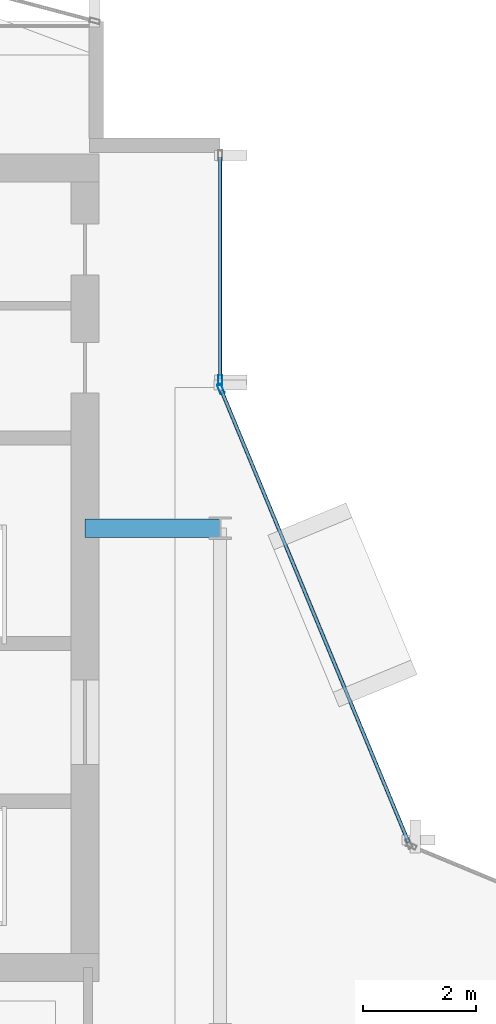
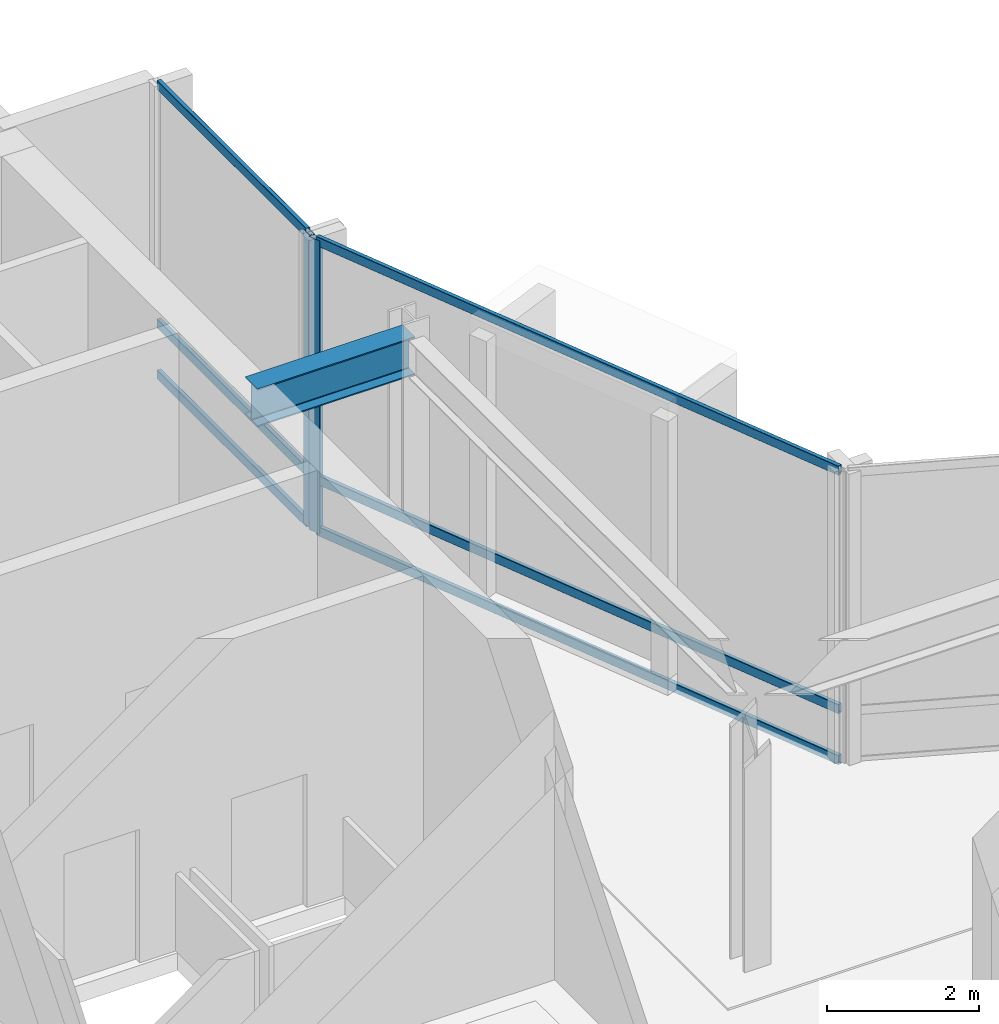
# One storey, part 17 of 28: 8 members, 1 beam, 2 elements without a shape of their own.
"""IFC4 building model written with IfcOpenShell, lengths in metres."""

from ifc_helpers import new_model, si_unit, direction, frame, origin, origin_2d, place, context, subcontext, project, spatial, hollow_rectangle, i_section, extrude, material, layer, layer_set, material_profile, profile_set, type_object, element, aggregate, save


model = new_model("IFC4")

# Units and contexts
model_context = context("Model", 3, precision=1e-05, world=origin(), true_north=direction((0.0, 1.0)))
body_context = subcontext(model_context, "Body", "Model", "MODEL_VIEW")
ifc_project = project(units=[si_unit("LENGTHUNIT", "METRE"), si_unit("AREAUNIT", "SQUARE_METRE"), si_unit("VOLUMEUNIT", "CUBIC_METRE"), si_unit("PLANEANGLEUNIT", "RADIAN"), si_unit("MASSUNIT", "GRAM", prefix="KILO")], contexts=[model_context])

# Site, building, storey
site_placement = place(None, origin())
site = spatial("IfcSite", under=ifc_project, at=site_placement, CompositionType="ELEMENT")
building_placement = place(site_placement, origin())
building = spatial("IfcBuilding", under=site, at=building_placement, Name="Solvaryn Broadcast Tower", CompositionType="ELEMENT")
storey_placement = place(building_placement, frame((0.0, 0.0, 201.199951171875)))
storey = spatial("IfcBuildingStorey", under=building, at=storey_placement, Name="L50", CompositionType="ELEMENT", Elevation=201.199951171875)

# Beam
ifc_material_1 = material(Name="Steel ASTM A992 Grade 50", Category="steel")
ifc_material_profile_1 = material_profile(ifc_material_1, i_section(OverallWidth=0.323974609375, OverallDepth=0.611083984375, WebThickness=0.0126953125, FlangeThickness=0.01904296875, FilletRadius=0.014892578125, at=origin_2d()))
ifc_profile_set_1 = profile_set([ifc_material_profile_1], Name="Steel ASTM A992 Grade 50")
beam_type = type_object("IfcBeamType", Name="BM-B1-W24X104", PredefinedType="BEAM", material=ifc_profile_set_1)
beam_placement = place(storey_placement, frame((24.60009765625, 36.0, 4.41455078125), z_axis=(1.0, 0.0, 0.0), x_axis=(0.0, 1.0, 0.0)))
element("IfcBeam", 1, at=beam_placement, inside=storey, type_object=beam_type, Name="L50 Core Tie Beam CTW2", PredefinedType="BEAM", context=body_context, shape_type="SweptSolid", body=[
    extrude(i_section(OverallWidth=0.323974609375, OverallDepth=0.611083984375, WebThickness=0.0126953125, FlangeThickness=0.01904296875, FilletRadius=0.014892578125, at=origin_2d()), origin(), (0.0, 0.0, 1.0), 2.39990234375),
])

# Curtain wall, member
ifc_material_2 = material(Name="Aluminium and Terracotta Unitised Curtain Wall", Category="masonry")
ifc_layer = layer(ifc_material_2, 0.199951171875)
ifc_layer_set = layer_set([ifc_layer], Name="CW-SYS2-LOWMID")
curtain_wall_type = type_object("IfcCurtainWallType", Name="CW-SYS2-LOWMID", PredefinedType="NOTDEFINED", material=ifc_layer_set)
curtain_wall_1_placement = place(storey_placement, origin())
curtain_wall_1 = element("IfcCurtainWall", 2, at=curtain_wall_1_placement, inside=storey, type_object=curtain_wall_type, Name="L50 Curtain Wall IV", PredefinedType="NOTDEFINED")
ifc_material_3 = material(Name="Anodised Aluminium 6063-T6", Category="aluminium")
ifc_material_profile_2 = material_profile(ifc_material_3, hollow_rectangle(XDim=0.074951171875, YDim=0.179931640625, WallThickness=0.00390625, InnerFilletRadius=0.00390625, OuterFilletRadius=0.008056640625, at=origin_2d()))
ifc_profile_set_2 = profile_set([ifc_material_profile_2], Name="Anodised Aluminium 6063-T6")
member_type_1 = type_object("IfcMemberType", Name="CW-MUL-180", PredefinedType="MULLION", material=ifc_profile_set_2)
member_1_placement = place(storey_placement, frame((27.0, 38.6298828125, 0.0), z_axis=(0.0, 0.0, 1.0), x_axis=(1.0, 0.0, 0.0)))
member_1 = element("IfcMember", 3, at=member_1_placement, type_object=member_type_1, Name="CWS2 mullion 2", PredefinedType="MULLION", context=body_context, shape_type="SweptSolid", body=[
    extrude(hollow_rectangle(XDim=0.074951171875, YDim=0.179931640625, WallThickness=0.00390625, InnerFilletRadius=0.00390625, OuterFilletRadius=0.008056640625, at=origin_2d()), origin(), (0.0, 0.0, 1.0), 4.719970703125),
])

curtain_wall_2_placement = place(storey_placement, origin())
curtain_wall_2 = element("IfcCurtainWall", 4, at=curtain_wall_2_placement, inside=storey, type_object=curtain_wall_type, Name="L50 Curtain Wall CN2", PredefinedType="NOTDEFINED")
member_2_placement = place(storey_placement, frame((27.011474609375, 38.47216796875, 0.0), z_axis=(0.0, 0.0, 1.0), x_axis=(-0.923894983957, -0.382646127145, 0.0)))
member_2 = element("IfcMember", 5, at=member_2_placement, type_object=member_type_1, Name="CWS2 mullion 2", PredefinedType="MULLION", context=body_context, shape_type="SweptSolid", body=[
    extrude(hollow_rectangle(XDim=0.074951171875, YDim=0.179931640625, WallThickness=0.00390625, InnerFilletRadius=0.00390625, OuterFilletRadius=0.008056640625, at=origin_2d()), origin(), (0.0, 0.0, 1.0), 4.719970703125),
])

# Member
ifc_material_4 = material(Name="Anodised Aluminium 6063-T6", Category="aluminium")
ifc_material_profile_3 = material_profile(ifc_material_4, hollow_rectangle(XDim=0.06494140625, YDim=0.14990234375, WallThickness=0.00390625, InnerFilletRadius=0.00390625, OuterFilletRadius=0.008056640625, at=origin_2d()))
ifc_profile_set_3 = profile_set([ifc_material_profile_3], Name="Anodised Aluminium 6063-T6")
member_type_2 = type_object("IfcMemberType", Name="CW-TRN-150", PredefinedType="USERDEFINED", material=ifc_profile_set_3)
member_3_placement = place(storey_placement, frame((27.0, 42.590087890625, 0.030029296875), z_axis=(0.0, -1.0, 0.0), x_axis=(1.0, 0.0, 0.0)))
member_3 = element("IfcMember", 6, at=member_3_placement, type_object=member_type_2, Name="CWS2 transom 1.1", ObjectType="TRANSOM", PredefinedType="USERDEFINED", context=body_context, shape_type="SweptSolid", body=[
    extrude(hollow_rectangle(XDim=0.06494140625, YDim=0.14990234375, WallThickness=0.00390625, InnerFilletRadius=0.00390625, OuterFilletRadius=0.008056640625, at=origin_2d()), origin(), (0.0, 0.0, 1.0), 3.93017578125),
])

member_4_placement = place(storey_placement, frame((27.0, 42.590087890625, 0.85009765625), z_axis=(0.0, -1.0, 0.0), x_axis=(1.0, 0.0, 0.0)))
member_4 = element("IfcMember", 7, at=member_4_placement, type_object=member_type_2, Name="CWS2 transom 1.2", ObjectType="TRANSOM", PredefinedType="USERDEFINED", context=body_context, shape_type="SweptSolid", body=[
    extrude(hollow_rectangle(XDim=0.06494140625, YDim=0.14990234375, WallThickness=0.00390625, InnerFilletRadius=0.00390625, OuterFilletRadius=0.008056640625, at=origin_2d()), origin(), (0.0, 0.0, 1.0), 3.93017578125),
])

member_5_placement = place(storey_placement, frame((27.0, 42.590087890625, 4.68994140625), z_axis=(0.0, -1.0, 0.0), x_axis=(1.0, 0.0, 0.0)))
member_5 = element("IfcMember", 8, at=member_5_placement, type_object=member_type_2, Name="CWS2 transom 1.3", ObjectType="TRANSOM", PredefinedType="USERDEFINED", context=body_context, shape_type="SweptSolid", body=[
    extrude(hollow_rectangle(XDim=0.06494140625, YDim=0.14990234375, WallThickness=0.00390625, InnerFilletRadius=0.00390625, OuterFilletRadius=0.008056640625, at=origin_2d()), origin(), (0.0, 0.0, 1.0), 3.93017578125),
])

aggregate(curtain_wall_1, [member_1, member_3, member_4, member_5])

member_6_placement = place(storey_placement, frame((30.344970703125, 30.42333984375, 0.030029296875), z_axis=(-0.382635748975, 0.923899282177, 0.0), x_axis=(-0.923899282177, -0.382635748975, 0.0)))
member_6 = element("IfcMember", 9, at=member_6_placement, type_object=member_type_2, Name="CWS2 transom 1.1", ObjectType="TRANSOM", PredefinedType="USERDEFINED", context=body_context, shape_type="SweptSolid", body=[
    extrude(hollow_rectangle(XDim=0.06494140625, YDim=0.14990234375, WallThickness=0.00390625, InnerFilletRadius=0.00390625, OuterFilletRadius=0.008056640625, at=origin_2d()), origin(), (0.0, 0.0, 1.0), 8.681884765625),
])

member_7_placement = place(storey_placement, frame((30.344970703125, 30.42333984375, 0.85009765625), z_axis=(-0.382635748975, 0.923899282177, 0.0), x_axis=(-0.923899282177, -0.382635748975, 0.0)))
member_7 = element("IfcMember", 10, at=member_7_placement, type_object=member_type_2, Name="CWS2 transom 1.2", ObjectType="TRANSOM", PredefinedType="USERDEFINED", context=body_context, shape_type="SweptSolid", body=[
    extrude(hollow_rectangle(XDim=0.06494140625, YDim=0.14990234375, WallThickness=0.00390625, InnerFilletRadius=0.00390625, OuterFilletRadius=0.008056640625, at=origin_2d()), origin(), (0.0, 0.0, 1.0), 8.681884765625),
])

member_8_placement = place(storey_placement, frame((30.344970703125, 30.42333984375, 4.68994140625), z_axis=(-0.382635748975, 0.923899282177, 0.0), x_axis=(-0.923899282177, -0.382635748975, 0.0)))
member_8 = element("IfcMember", 11, at=member_8_placement, type_object=member_type_2, Name="CWS2 transom 1.3", ObjectType="TRANSOM", PredefinedType="USERDEFINED", context=body_context, shape_type="SweptSolid", body=[
    extrude(hollow_rectangle(XDim=0.06494140625, YDim=0.14990234375, WallThickness=0.00390625, InnerFilletRadius=0.00390625, OuterFilletRadius=0.008056640625, at=origin_2d()), origin(), (0.0, 0.0, 1.0), 8.681884765625),
])

aggregate(curtain_wall_2, [member_2, member_6, member_7, member_8])

save(model, "model.ifc")
